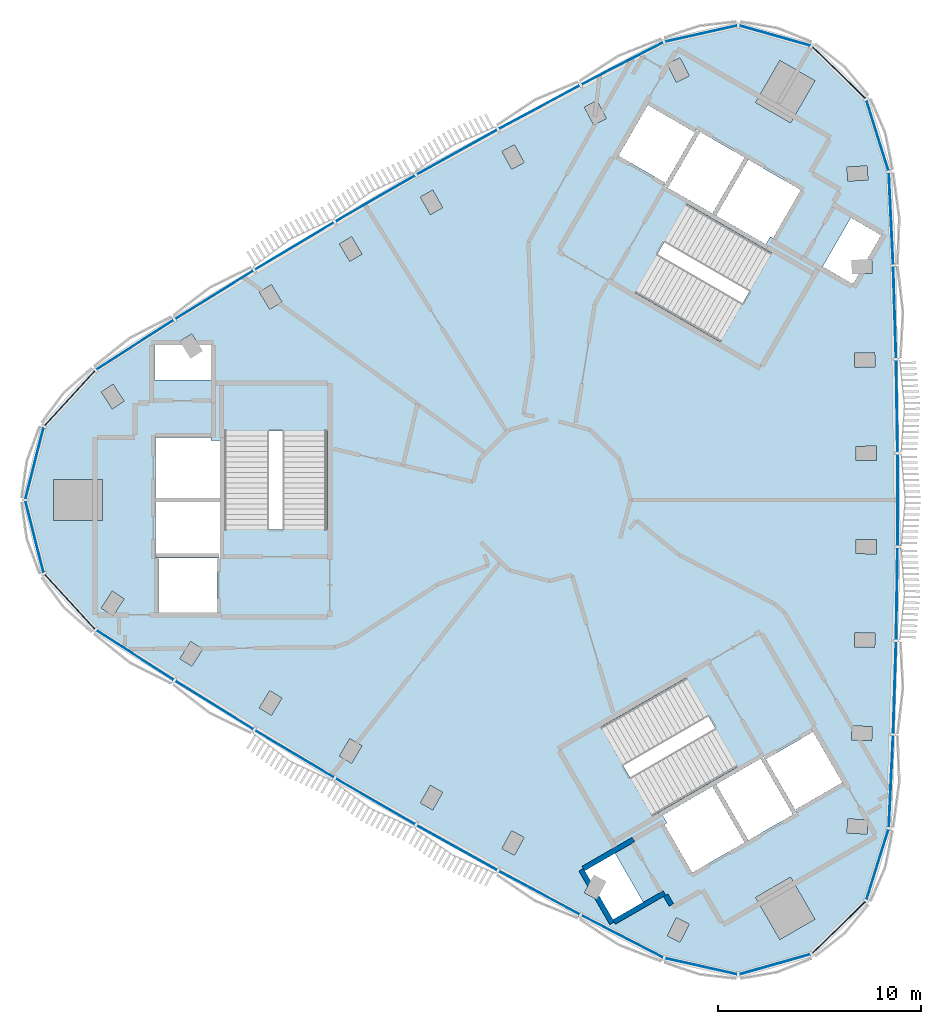
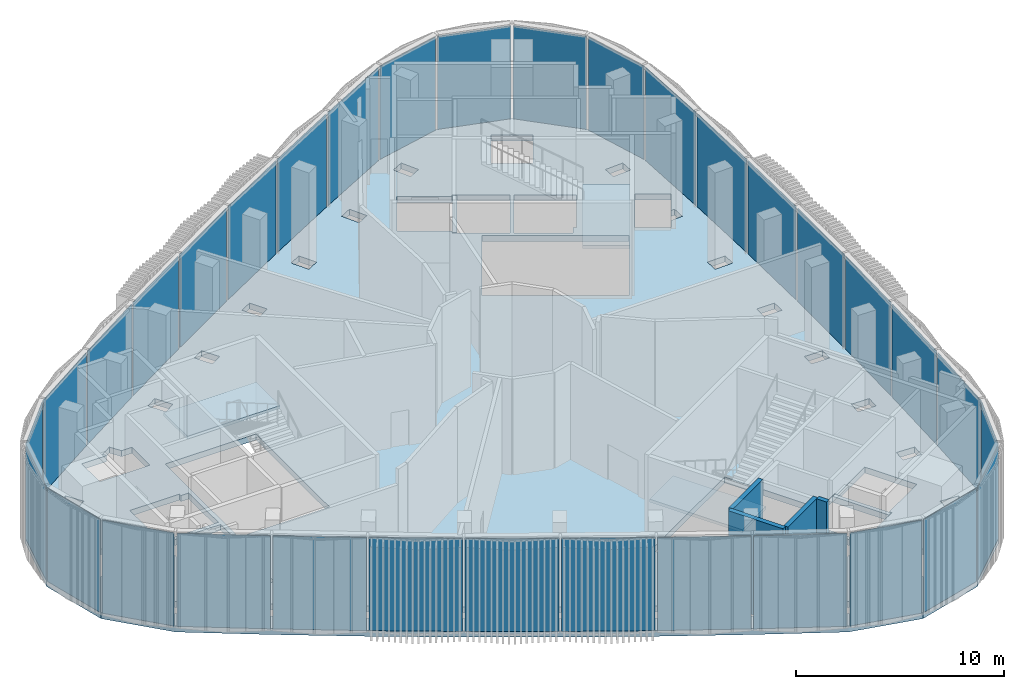
# One storey, part 2 of 11: 33 plates, 4 slabs, 4 walls, 6 elements without a shape of their own.
"""IFC4 building model written with IfcOpenShell, lengths in metres."""

from ifc_helpers import new_model, si_unit, direction, frame, frame_2d, origin, origin_2d, place, context, subcontext, project, spatial, polyline, rectangle, outline, extrude, material, layer, layer_set, type_object, element, aggregate, save


model = new_model("IFC4")

# Units and contexts
model_context = context("Model", 3, precision=1e-05, world=origin(), true_north=direction((0.0, 1.0)))
body_context = subcontext(model_context, "Body", "Model", "MODEL_VIEW")
ifc_project = project(units=[si_unit("LENGTHUNIT", "METRE"), si_unit("AREAUNIT", "SQUARE_METRE"), si_unit("VOLUMEUNIT", "CUBIC_METRE"), si_unit("PLANEANGLEUNIT", "RADIAN"), si_unit("MASSUNIT", "GRAM", prefix="KILO")], contexts=[model_context])

# Site, building, storey
site_placement = place(None, origin())
site = spatial("IfcSite", under=ifc_project, at=site_placement, CompositionType="ELEMENT")
building_placement = place(site_placement, origin())
building = spatial("IfcBuilding", under=site, at=building_placement, Name="Tamra Quay Hotel Tower", CompositionType="ELEMENT")
storey_placement = place(building_placement, frame((0.0, 0.0, 306.60009765625)))
storey = spatial("IfcBuildingStorey", under=building, at=storey_placement, Name="L77", CompositionType="ELEMENT", Elevation=306.60009765625)

# Stair, slab
ifc_material_1 = material(Name="Exit stair 2200 40 risers 150.0 going 258")
stair_type = type_object("IfcStairType", Name="Exit stair 2200 40 risers 150.0 going 258", PredefinedType="HALF_TURN_STAIR", material=ifc_material_1)
stair_1_placement = place(storey_placement, origin())
stair_1 = element("IfcStair", 1, at=stair_1_placement, inside=storey, type_object=stair_type, Name="L77 Exit stair ST3", PredefinedType="HALF_TURN_STAIR")
ifc_material_2 = material(Name="Concrete M70", Category="concrete")
ifc_layer_1 = layer(ifc_material_2, 0.175048828125)
ifc_layer_set_1 = layer_set([ifc_layer_1], Name="Concrete M70 stair landing 180")
slab_type_1 = type_object("IfcSlabType", Name="Concrete M70 stair landing 180", PredefinedType="LANDING", material=ifc_layer_set_1)
slab_1_placement = place(storey_placement, frame((0.0, 0.0, 2.824951171875)))
slab_1 = element("IfcSlab", 2, at=slab_1_placement, type_object=slab_type_1, Name="ST3 landing 1", PredefinedType="LANDING", context=body_context, shape_type="SweptSolid", body=[
    extrude(outline(polyline([(-10.932373046875, 3.40185546875), (-10.932373046875, 5.679931640625), (-16.09130859375, 5.679931640625), (-16.09130859375, 3.40185546875), (-10.932373046875, 3.40185546875)])), origin(), (0.0, 0.0, 1.0), 0.175048828125),
])
aggregate(stair_1, [slab_1])

stair_2_placement = place(storey_placement, origin())
stair_2 = element("IfcStair", 3, at=stair_2_placement, inside=storey, type_object=stair_type, Name="L77 Exit stair ST1", PredefinedType="HALF_TURN_STAIR")
slab_2_placement = place(storey_placement, frame((0.0, 0.0, 2.824951171875)))
slab_2 = element("IfcSlab", 4, at=slab_2_placement, type_object=slab_type_1, Name="ST1 landing 1", PredefinedType="LANDING", context=body_context, shape_type="SweptSolid", body=[
    extrude(outline(polyline([(8.412353515625, 7.7666015625), (10.385009765625, 6.627685546875), (12.964599609375, 11.095458984375), (10.99169921875, 12.234619140625), (8.412353515625, 7.7666015625)])), origin(), (0.0, 0.0, 1.0), 0.175048828125),
])
aggregate(stair_2, [slab_2])

stair_3_placement = place(storey_placement, origin())
stair_3 = element("IfcStair", 5, at=stair_3_placement, inside=storey, type_object=stair_type, Name="L77 Exit stair ST2", PredefinedType="HALF_TURN_STAIR")
slab_3_placement = place(storey_placement, frame((0.0, 0.0, 2.824951171875)))
slab_3 = element("IfcSlab", 6, at=slab_3_placement, type_object=slab_type_1, Name="ST2 landing 1", PredefinedType="LANDING", context=body_context, shape_type="SweptSolid", body=[
    extrude(outline(polyline([(2.52001953125, -11.168701171875), (0.547119140625, -12.3076171875), (3.126708984375, -16.775390625), (5.099609375, -15.636474609375), (2.52001953125, -11.168701171875)])), origin(), (0.0, 0.0, 1.0), 0.175048828125),
])
aggregate(stair_3, [slab_3])

# Slab
ifc_material_3 = material(Name="Concrete M60", Category="concrete")
ifc_layer_2 = layer(ifc_material_3, 0.35009765625)
ifc_layer_set_2 = layer_set([ifc_layer_2], Name="FLOOR SLAB PT 350")
slab_type_2 = type_object("IfcSlabType", Name="FLOOR SLAB PT 350", PredefinedType="FLOOR", material=ifc_layer_set_2)
slab_4_placement = place(storey_placement, frame((0.0, 0.0, -0.35009765625)))
element("IfcSlab", 7, at=slab_4_placement, inside=storey, type_object=slab_type_2, Name="SLAB-L77", PredefinedType="FLOOR", context=body_context, shape_type="SweptSolid", body=[
    extrude(outline(polyline([(16.967041015625, 11.5751953125), (17.11181640625, 6.94677734375), (17.18408203125, 2.31591796875), (17.18408203125, -2.31591796875), (17.11181640625, -6.94677734375), (16.967041015625, -11.5751953125), (16.75, -16.201904296875), (15.629150390625, -19.787353515625), (12.936767578125, -22.406982421875), (9.32177734375, -23.428955078125), (5.65625, -22.607177734375), (1.540771484375, -20.4814453125), (-2.539794921875, -18.29248046875), (-6.58642578125, -16.039794921875), (-10.59765625, -13.72412109375), (-14.572021484375, -11.345703125), (-18.5078125, -8.90625), (-22.406494140625, -6.405029296875), (-24.950927734375, -3.6416015625), (-25.873291015625, 0.0), (-24.950927734375, 3.6416015625), (-22.406494140625, 6.405029296875), (-18.5078125, 8.90625), (-14.572021484375, 11.345703125), (-10.59765625, 13.72412109375), (-6.58642578125, 16.039794921875), (-2.539794921875, 18.29248046875), (1.540771484375, 20.4814453125), (5.65625, 22.607177734375), (9.32177734375, 23.428955078125), (12.936767578125, 22.406982421875), (15.629150390625, 19.787353515625), (16.75, 16.201904296875), (16.967041015625, 11.5751953125)]), holes=[polyline([(-10.3671875, -12.641357421875), (-9.763671875, -12.99609375), (-9.2568359375, -12.13427734375), (-9.8603515625, -11.779296875), (-10.3671875, -12.641357421875)]), polyline([(-14.324462890625, -10.26708984375), (-13.7265625, -10.63134765625), (-13.206298828125, -9.77734375), (-13.803955078125, -9.4130859375), (-14.324462890625, -10.26708984375)]), polyline([(-18.244140625, -7.831298828125), (-17.652099609375, -8.20458984375), (-17.118896484375, -7.358642578125), (-17.7109375, -6.9853515625), (-18.244140625, -7.831298828125)]), polyline([(-21.57861328125, -4.497314453125), (-22.125244140625, -5.33447265625), (-21.539306640625, -5.71728515625), (-20.992431640625, -4.880126953125), (-21.57861328125, -4.497314453125)]), polyline([(-16.3173828125, -2.85498046875), (-19.4072265625, -2.85498046875), (-19.4072265625, -2.89306640625), (-19.307373046875, -2.89306640625), (-19.307373046875, -5.544921875), (-16.417236328125, -5.544921875), (-16.417236328125, -2.89306640625), (-16.3173828125, -2.89306640625), (-16.3173828125, -2.85498046875)]), polyline([(-19.417236328125, -2.64501953125), (-16.307373046875, -2.64501953125), (-16.307373046875, -2.89306640625), (-16.26708984375, -2.89306640625), (-16.26708984375, -0.10498046875), (-19.45751953125, -0.10498046875), (-19.45751953125, -2.89306640625), (-19.417236328125, -2.89306640625), (-19.417236328125, -2.64501953125)]), polyline([(-24.473388671875, 1.0), (-24.473388671875, -1.0), (-22.073486328125, -1.0), (-22.073486328125, 1.0), (-24.473388671875, 1.0)]), polyline([(-16.707275390625, 2.945068359375), (-16.707275390625, 3.09521484375), (-19.45751953125, 3.09521484375), (-19.45751953125, 0.10498046875), (-16.26708984375, 0.10498046875), (-16.26708984375, 2.945068359375), (-16.707275390625, 2.945068359375)]), polyline([(-16.036376953125, -1.455078125), (-10.9873046875, -1.455078125), (-10.9873046875, 5.625), (-16.036376953125, 5.625), (-16.036376953125, -1.455078125)]), polyline([(-20.992431640625, 4.880126953125), (-21.539306640625, 5.71728515625), (-22.125244140625, 5.33447265625), (-21.57861328125, 4.497314453125), (-20.992431640625, 4.880126953125)]), polyline([(-17.29931640625, 7.64501953125), (-17.652099609375, 8.20458984375), (-18.244140625, 7.831298828125), (-18.126708984375, 7.64501953125), (-19.50732421875, 7.64501953125), (-19.50732421875, 5.9150390625), (-16.71728515625, 5.9150390625), (-16.71728515625, 7.64501953125), (-17.29931640625, 7.64501953125)]), polyline([(-13.7265625, 10.63134765625), (-14.324462890625, 10.26708984375), (-13.803955078125, 9.4130859375), (-13.206298828125, 9.77734375), (-13.7265625, 10.63134765625)]), polyline([(-9.2568359375, 12.13427734375), (-9.763671875, 12.99609375), (-10.3671875, 12.641357421875), (-9.8603515625, 11.779296875), (-9.2568359375, 12.13427734375)]), polyline([(6.27001953125, -20.6201171875), (5.818359375, -21.51220703125), (6.44287109375, -21.828369140625), (6.89453125, -20.936279296875), (6.27001953125, -20.6201171875)]), polyline([(1.73779296875, -18.300048828125), (2.02880859375, -18.80419921875), (1.720703125, -19.389404296875), (2.33984375, -19.715576171875), (2.442626953125, -19.520751953125), (3.1328125, -20.71630859375), (4.631103515625, -19.851318359375), (3.236083984375, -17.43505859375), (1.73779296875, -18.300048828125)]), polyline([(-1.864501953125, -16.32568359375), (-2.34375, -17.203369140625), (-1.7294921875, -17.538818359375), (-1.25, -16.6611328125), (-1.864501953125, -16.32568359375)]), polyline([(5.80322265625, -15.94140625), (5.673095703125, -16.0166015625), (7.04833984375, -18.398193359375), (9.6376953125, -16.903076171875), (8.042724609375, -14.14013671875), (5.5830078125, -15.560302734375), (5.80322265625, -15.94140625)]), polyline([(-5.880126953125, -14.083740234375), (-6.373291015625, -14.95361328125), (-5.764404296875, -15.298828125), (-5.271240234375, -14.428955078125), (-5.880126953125, -14.083740234375)]), polyline([(9.2783203125, -13.160400390625), (6.75390625, -8.78759765625), (0.622314453125, -12.32763671875), (3.146728515625, -16.7001953125), (9.2783203125, -13.160400390625)]), polyline([(4.2333984375, 10.242919921875), (10.364990234375, 6.702880859375), (12.889404296875, 11.075439453125), (6.758056640625, 14.615478515625), (4.2333984375, 10.242919921875)]), polyline([(-5.764404296875, 15.298828125), (-6.373291015625, 14.95361328125), (-5.880126953125, 14.083740234375), (-5.271240234375, 14.428955078125), (-5.764404296875, 15.298828125)]), polyline([(7.41796875, 18.138427734375), (5.863037109375, 15.445068359375), (5.648193359375, 15.569091796875), (5.628173828125, 15.5341796875), (8.04248046875, 14.140380859375), (9.6376953125, 16.903076171875), (7.22314453125, 18.297119140625), (7.203125, 18.262451171875), (7.41796875, 18.138427734375)]), polyline([(-1.25, 16.6611328125), (-1.7294921875, 17.538818359375), (-2.34375, 17.203369140625), (-1.864501953125, 16.32568359375), (-1.25, 16.6611328125)]), polyline([(5.68603515625, 15.55859375), (7.231201171875, 18.234619140625), (7.1982421875, 18.253662109375), (7.148193359375, 18.1669921875), (4.8515625, 19.4931640625), (3.406494140625, 16.990234375), (5.703125, 15.664306640625), (5.6533203125, 15.57763671875), (5.68603515625, 15.55859375)]), polyline([(2.33984375, 19.715576171875), (1.720703125, 19.389404296875), (2.186767578125, 18.504638671875), (2.805908203125, 18.830810546875), (2.33984375, 19.715576171875)]), polyline([(6.44287109375, 21.828369140625), (5.818359375, 21.51220703125), (6.27001953125, 20.6201171875), (6.89453125, 20.936279296875), (6.44287109375, 21.828369140625)]), polyline([(11.37060546875, -21.694580078125), (13.102783203125, -20.694580078125), (11.902587890625, -18.6162109375), (10.170654296875, -19.6162109375), (11.37060546875, -21.694580078125)]), polyline([(14.68408203125, -16.43896484375), (15.6826171875, -16.493896484375), (15.720947265625, -15.794921875), (14.722412109375, -15.739990234375), (14.68408203125, -16.43896484375)]), polyline([(12.214111328125, -15.369384765625), (11.999267578125, -15.493408203125), (10.4443359375, -12.800048828125), (10.6591796875, -12.676025390625), (10.63916015625, -12.64111328125), (8.224609375, -14.03515625), (9.819580078125, -16.798095703125), (12.234130859375, -15.404052734375), (12.214111328125, -15.369384765625)]), polyline([(12.176025390625, -15.379638671875), (12.208984375, -15.360595703125), (12.1591796875, -15.274169921875), (14.455810546875, -13.947998046875), (13.0107421875, -11.4453125), (10.714111328125, -12.771240234375), (10.6640625, -12.6845703125), (10.631103515625, -12.70361328125), (12.176025390625, -15.379638671875)]), polyline([(15.904296875, -11.88427734375), (15.931396484375, -11.184814453125), (14.93212890625, -11.14599609375), (14.905029296875, -11.845703125), (15.904296875, -11.88427734375)]), polyline([(16.0537109375, -7.271728515625), (16.0703125, -6.572021484375), (15.070556640625, -6.548095703125), (15.053955078125, -7.247802734375), (16.0537109375, -7.271728515625)]), polyline([(15.13134765625, -2.6494140625), (16.13134765625, -2.657470703125), (16.136962890625, -1.95751953125), (15.136962890625, -1.94970703125), (15.13134765625, -2.6494140625)]), polyline([(15.136962890625, 1.94970703125), (16.136962890625, 1.95751953125), (16.13134765625, 2.657470703125), (15.13134765625, 2.6494140625), (15.136962890625, 1.94970703125)]), polyline([(16.0703125, 6.572021484375), (16.0537109375, 7.271728515625), (15.053955078125, 7.247802734375), (15.070556640625, 6.548095703125), (16.0703125, 6.572021484375)]), polyline([(13.481201171875, 11.52001953125), (14.9794921875, 10.655029296875), (15.2705078125, 11.1591796875), (15.931396484375, 11.184814453125), (15.904296875, 11.88427734375), (15.68408203125, 11.875732421875), (16.37451171875, 13.0712890625), (14.876220703125, 13.936279296875), (13.481201171875, 11.52001953125)]), polyline([(10.904052734375, 12.996337890625), (11.0341796875, 12.92138671875), (12.4091796875, 15.302978515625), (9.819580078125, 16.798095703125), (8.224365234375, 14.035400390625), (10.68408203125, 12.615234375), (10.904052734375, 12.996337890625)]), polyline([(14.722412109375, 15.739990234375), (15.720947265625, 15.794921875), (15.6826171875, 16.493896484375), (14.68408203125, 16.43896484375), (14.722412109375, 15.739990234375)]), polyline([(11.902587890625, 18.6162109375), (13.102783203125, 20.694580078125), (11.37060546875, 21.694580078125), (10.170654296875, 19.6162109375), (11.902587890625, 18.6162109375)])]), origin(), (0.0, 0.0, 1.0), 0.35009765625),
])

# Curtain wall, plates
ifc_material_4 = material(Name="Aluminium 6063 anodised dark grey", Category="aluminium")
curtain_wall_type = type_object("IfcCurtainWallType", Name="CW5 CURTAIN WALL", PredefinedType="NOTDEFINED", material=ifc_material_4)
curtain_wall_1_placement = place(storey_placement, origin())
curtain_wall_1 = element("IfcCurtainWall", 8, at=curtain_wall_1_placement, inside=storey, type_object=curtain_wall_type, Name="CW5 east face L77", PredefinedType="NOTDEFINED")
ifc_material_5 = material(Name="Glass clear laminated low-iron", Category="glass")
ifc_layer_3 = layer(ifc_material_5, 0.0400390625)
ifc_layer_set_3 = layer_set([ifc_layer_3], Name="GLASS PANEL CW5")
plate_type = type_object("IfcPlateType", Name="GLASS PANEL CW5", PredefinedType="CURTAIN_PANEL", material=ifc_layer_set_3)
plate_1_placement = place(storey_placement, frame((16.858642578125, -13.888671875, 0.0), z_axis=(0.0, 0.0, 1.0), x_axis=(0.046821272814, 0.998903282812, 0.0)))
plate_1 = element("IfcPlate", 9, at=plate_1_placement, type_object=plate_type, Name="CW5 glass L77.E.1", PredefinedType="CURTAIN_PANEL", context=body_context, shape_type="SweptSolid", body=[
    extrude(rectangle(XDim=4.511962890625, YDim=0.0400390625, at=origin_2d()), origin(), (0.0, 0.0, 1.0), 5.469970703125),
])
plate_2_placement = place(storey_placement, frame((17.039306640625, -9.260986328125, 0.0), z_axis=(0.0, 0.0, 1.0), x_axis=(0.031241813408, 0.999511855405, 0.0)))
plate_2 = element("IfcPlate", 10, at=plate_2_placement, type_object=plate_type, Name="CW5 glass L77.E.2", PredefinedType="CURTAIN_PANEL", context=body_context, shape_type="SweptSolid", body=[
    extrude(rectangle(XDim=4.510498046875, YDim=0.0400390625, at=origin_2d()), origin(), (0.0, 0.0, 1.0), 5.469970703125),
])
plate_3_placement = place(storey_placement, frame((17.14794921875, -4.63134765625, 0.0), z_axis=(0.0, 0.0, 1.0), x_axis=(0.015632289829, 0.999877808292, 0.0)))
plate_3 = element("IfcPlate", 11, at=plate_3_placement, type_object=plate_type, Name="CW5 glass L77.E.3", PredefinedType="CURTAIN_PANEL", context=body_context, shape_type="SweptSolid", body=[
    extrude(rectangle(XDim=4.511474609375, YDim=0.0400390625, at=origin_2d()), origin(), (0.0, 0.0, 1.0), 5.469970703125),
])
plate_4_placement = place(storey_placement, frame((17.18408203125, 0.0, 0.0), z_axis=(0.0, 0.0, 1.0), x_axis=(0.0, 1.0, 0.0)))
plate_4 = element("IfcPlate", 12, at=plate_4_placement, type_object=plate_type, Name="CW5 glass L77.E.4", PredefinedType="CURTAIN_PANEL", context=body_context, shape_type="SweptSolid", body=[
    extrude(rectangle(XDim=4.511474609375, YDim=0.0400390625, at=origin_2d()), origin(), (0.0, 0.0, 1.0), 5.469970703125),
])
plate_5_placement = place(storey_placement, frame((17.14794921875, 4.63134765625, 0.0), z_axis=(0.0, 0.0, 1.0), x_axis=(-0.015632289829, 0.999877808292, 0.0)))
plate_5 = element("IfcPlate", 13, at=plate_5_placement, type_object=plate_type, Name="CW5 glass L77.E.5", PredefinedType="CURTAIN_PANEL", context=body_context, shape_type="SweptSolid", body=[
    extrude(rectangle(XDim=4.511474609375, YDim=0.0400390625, at=origin_2d()), origin(), (0.0, 0.0, 1.0), 5.469970703125),
])
plate_6_placement = place(storey_placement, frame((17.039306640625, 9.260986328125, 0.0), z_axis=(0.0, 0.0, 1.0), x_axis=(-0.031241813408, 0.999511855405, 0.0)))
plate_6 = element("IfcPlate", 14, at=plate_6_placement, type_object=plate_type, Name="CW5 glass L77.E.6", PredefinedType="CURTAIN_PANEL", context=body_context, shape_type="SweptSolid", body=[
    extrude(rectangle(XDim=4.510498046875, YDim=0.0400390625, at=origin_2d()), origin(), (0.0, 0.0, 1.0), 5.469970703125),
])
plate_7_placement = place(storey_placement, frame((16.858642578125, 13.888671875, 0.0), z_axis=(0.0, 0.0, 1.0), x_axis=(-0.046821272814, 0.998903282812, 0.0)))
plate_7 = element("IfcPlate", 15, at=plate_7_placement, type_object=plate_type, Name="CW5 glass L77.E.7", PredefinedType="CURTAIN_PANEL", context=body_context, shape_type="SweptSolid", body=[
    extrude(rectangle(XDim=4.511962890625, YDim=0.0400390625, at=origin_2d()), origin(), (0.0, 0.0, 1.0), 5.469970703125),
])
plate_8_placement = place(storey_placement, frame((16.189697265625, 17.99462890625, 0.0), z_axis=(0.0, 0.0, 1.0), x_axis=(-0.29839239288, 0.954443282689, 0.0)))
plate_8 = element("IfcPlate", 16, at=plate_8_placement, type_object=plate_type, Name="CW5 glass L77.E.8", PredefinedType="CURTAIN_PANEL", context=body_context, shape_type="SweptSolid", body=[
    extrude(rectangle(XDim=3.636474609375, YDim=0.0400390625, at=origin_2d()), origin(), (0.0, 0.0, 1.0), 5.469970703125),
])
plate_9_placement = place(storey_placement, frame((14.282958984375, 21.09716796875, 0.0), z_axis=(0.0, 0.0, 1.0), x_axis=(-0.716752699854, 0.69732744622, 0.0)))
plate_9 = element("IfcPlate", 17, at=plate_9_placement, type_object=plate_type, Name="CW5 glass L77.E.9", PredefinedType="CURTAIN_PANEL", context=body_context, shape_type="SweptSolid", body=[
    extrude(rectangle(XDim=3.636474609375, YDim=0.0400390625, at=origin_2d()), origin(), (0.0, 0.0, 1.0), 5.469970703125),
])
plate_10_placement = place(storey_placement, frame((11.129150390625, 22.91796875, 0.0), z_axis=(0.0, 0.0, 1.0), x_axis=(-0.96227963311, 0.272062323195, 0.0)))
plate_10 = element("IfcPlate", 18, at=plate_10_placement, type_object=plate_type, Name="CW5 glass L77.E.10", PredefinedType="CURTAIN_PANEL", context=body_context, shape_type="SweptSolid", body=[
    extrude(rectangle(XDim=3.636474609375, YDim=0.0400390625, at=origin_2d()), origin(), (0.0, 0.0, 1.0), 5.469970703125),
])
plate_11_placement = place(storey_placement, frame((7.489013671875, 23.01806640625, 0.0), z_axis=(0.0, 0.0, 1.0), x_axis=(-0.975768325721, -0.218806248814, 0.0)))
plate_11 = element("IfcPlate", 19, at=plate_11_placement, type_object=plate_type, Name="CW5 glass L77.E.11", PredefinedType="CURTAIN_PANEL", context=body_context, shape_type="SweptSolid", body=[
    extrude(rectangle(XDim=3.636474609375, YDim=0.0400390625, at=origin_2d()), origin(), (0.0, 0.0, 1.0), 5.469970703125),
])
aggregate(curtain_wall_1, [plate_1, plate_2, plate_3, plate_4, plate_5, plate_6, plate_7, plate_8, plate_9, plate_10, plate_11])

curtain_wall_2_placement = place(storey_placement, origin())
curtain_wall_2 = element("IfcCurtainWall", 20, at=curtain_wall_2_placement, inside=storey, type_object=curtain_wall_type, Name="CW5 north-west face L77", PredefinedType="NOTDEFINED")
plate_12_placement = place(storey_placement, frame((3.5986328125, 21.544189453125, 0.0), z_axis=(0.0, 0.0, 1.0), x_axis=(-0.888486255245, -0.458903229712, 0.0)))
plate_12 = element("IfcPlate", 21, at=plate_12_placement, type_object=plate_type, Name="CW5 glass L77.NW.1", PredefinedType="CURTAIN_PANEL", context=body_context, shape_type="SweptSolid", body=[
    extrude(rectangle(XDim=4.511962890625, YDim=0.0400390625, at=origin_2d()), origin(), (0.0, 0.0, 1.0), 5.469970703125),
])
plate_13_placement = place(storey_placement, frame((-0.49951171875, 19.386962890625, 0.0), z_axis=(0.0, 0.0, 1.0), x_axis=(-0.881223564868, -0.472699723631, 0.0)))
plate_13 = element("IfcPlate", 22, at=plate_13_placement, type_object=plate_type, Name="CW5 glass L77.NW.2", PredefinedType="CURTAIN_PANEL", context=body_context, shape_type="SweptSolid", body=[
    extrude(rectangle(XDim=4.510498046875, YDim=0.0400390625, at=origin_2d()), origin(), (0.0, 0.0, 1.0), 5.469970703125),
])
plate_14_placement = place(storey_placement, frame((-4.563232421875, 17.166259765625, 0.0), z_axis=(0.0, 0.0, 1.0), x_axis=(-0.873735727575, -0.486400944035, 0.0)))
plate_14 = element("IfcPlate", 23, at=plate_14_placement, type_object=plate_type, Name="CW5 glass L77.NW.3", PredefinedType="CURTAIN_PANEL", context=body_context, shape_type="SweptSolid", body=[
    extrude(rectangle(XDim=4.511474609375, YDim=0.0400390625, at=origin_2d()), origin(), (0.0, 0.0, 1.0), 5.469970703125),
])
plate_15_placement = place(storey_placement, frame((-8.592041015625, 14.8818359375, 0.0), z_axis=(0.0, 0.0, 1.0), x_axis=(-0.866025403784, -0.5, 0.0)))
plate_15 = element("IfcPlate", 24, at=plate_15_placement, type_object=plate_type, Name="CW5 glass L77.NW.4", PredefinedType="CURTAIN_PANEL", context=body_context, shape_type="SweptSolid", body=[
    extrude(rectangle(XDim=4.511474609375, YDim=0.0400390625, at=origin_2d()), origin(), (0.0, 0.0, 1.0), 5.469970703125),
])
plate_16_placement = place(storey_placement, frame((-12.584716796875, 12.534912109375, 0.0), z_axis=(0.0, 0.0, 1.0), x_axis=(-0.858103437747, -0.513476864257, 0.0)))
plate_16 = element("IfcPlate", 25, at=plate_16_placement, type_object=plate_type, Name="CW5 glass L77.NW.5", PredefinedType="CURTAIN_PANEL", context=body_context, shape_type="SweptSolid", body=[
    extrude(rectangle(XDim=4.511474609375, YDim=0.0400390625, at=origin_2d()), origin(), (0.0, 0.0, 1.0), 5.469970703125),
])
plate_17_placement = place(storey_placement, frame((-16.539794921875, 10.1259765625, 0.0), z_axis=(0.0, 0.0, 1.0), x_axis=(-0.849981751461, -0.526812131774, 0.0)))
plate_17 = element("IfcPlate", 26, at=plate_17_placement, type_object=plate_type, Name="CW5 glass L77.NW.6", PredefinedType="CURTAIN_PANEL", context=body_context, shape_type="SweptSolid", body=[
    extrude(rectangle(XDim=4.510498046875, YDim=0.0400390625, at=origin_2d()), origin(), (0.0, 0.0, 1.0), 5.469970703125),
])
plate_18_placement = place(storey_placement, frame((-20.45703125, 7.65576171875, 0.0), z_axis=(0.0, 0.0, 1.0), x_axis=(-0.841664982432, -0.5400000531, 0.0)))
plate_18 = element("IfcPlate", 27, at=plate_18_placement, type_object=plate_type, Name="CW5 glass L77.NW.7", PredefinedType="CURTAIN_PANEL", context=body_context, shape_type="SweptSolid", body=[
    extrude(rectangle(XDim=4.511962890625, YDim=0.0400390625, at=origin_2d()), origin(), (0.0, 0.0, 1.0), 5.469970703125),
])
plate_19_placement = place(storey_placement, frame((-23.6787109375, 5.023193359375, 0.0), z_axis=(0.0, 0.0, 1.0), x_axis=(-0.67737593284, -0.735637033875, 0.0)))
plate_19 = element("IfcPlate", 28, at=plate_19_placement, type_object=plate_type, Name="CW5 glass L77.NW.8", PredefinedType="CURTAIN_PANEL", context=body_context, shape_type="SweptSolid", body=[
    extrude(rectangle(XDim=3.636474609375, YDim=0.0400390625, at=origin_2d()), origin(), (0.0, 0.0, 1.0), 5.469970703125),
])
plate_20_placement = place(storey_placement, frame((-25.412109375, 1.82080078125, 0.0), z_axis=(0.0, 0.0, 1.0), x_axis=(-0.245526933255, -0.969389769415, 0.0)))
plate_20 = element("IfcPlate", 29, at=plate_20_placement, type_object=plate_type, Name="CW5 glass L77.NW.9", PredefinedType="CURTAIN_PANEL", context=body_context, shape_type="SweptSolid", body=[
    extrude(rectangle(XDim=3.636474609375, YDim=0.0400390625, at=origin_2d()), origin(), (0.0, 0.0, 1.0), 5.469970703125),
])
plate_21_placement = place(storey_placement, frame((-25.412109375, -1.82080078125, 0.0), z_axis=(0.0, 0.0, 1.0), x_axis=(0.245526933255, -0.969389769415, 0.0)))
plate_21 = element("IfcPlate", 30, at=plate_21_placement, type_object=plate_type, Name="CW5 glass L77.NW.10", PredefinedType="CURTAIN_PANEL", context=body_context, shape_type="SweptSolid", body=[
    extrude(rectangle(XDim=3.636474609375, YDim=0.0400390625, at=origin_2d()), origin(), (0.0, 0.0, 1.0), 5.469970703125),
])
plate_22_placement = place(storey_placement, frame((-23.6787109375, -5.023193359375, 0.0), z_axis=(0.0, 0.0, 1.0), x_axis=(0.67737593284, -0.735637033875, 0.0)))
plate_22 = element("IfcPlate", 31, at=plate_22_placement, type_object=plate_type, Name="CW5 glass L77.NW.11", PredefinedType="CURTAIN_PANEL", context=body_context, shape_type="SweptSolid", body=[
    extrude(rectangle(XDim=3.636474609375, YDim=0.0400390625, at=origin_2d()), origin(), (0.0, 0.0, 1.0), 5.469970703125),
])
aggregate(curtain_wall_2, [plate_12, plate_13, plate_14, plate_15, plate_16, plate_17, plate_18, plate_19, plate_20, plate_21, plate_22])

curtain_wall_3_placement = place(storey_placement, origin())
curtain_wall_3 = element("IfcCurtainWall", 32, at=curtain_wall_3_placement, inside=storey, type_object=curtain_wall_type, Name="CW5 south-west face L77", PredefinedType="NOTDEFINED")
plate_23_placement = place(storey_placement, frame((-20.45703125, -7.65576171875, 0.0), z_axis=(0.0, 0.0, 1.0), x_axis=(0.841664982432, -0.5400000531, 0.0)))
plate_23 = element("IfcPlate", 33, at=plate_23_placement, type_object=plate_type, Name="CW5 glass L77.SW.1", PredefinedType="CURTAIN_PANEL", context=body_context, shape_type="SweptSolid", body=[
    extrude(rectangle(XDim=4.511962890625, YDim=0.0400390625, at=origin_2d()), origin(), (0.0, 0.0, 1.0), 5.469970703125),
])
plate_24_placement = place(storey_placement, frame((-16.539794921875, -10.1259765625, 0.0), z_axis=(0.0, 0.0, 1.0), x_axis=(0.849981751461, -0.526812131774, 0.0)))
plate_24 = element("IfcPlate", 34, at=plate_24_placement, type_object=plate_type, Name="CW5 glass L77.SW.2", PredefinedType="CURTAIN_PANEL", context=body_context, shape_type="SweptSolid", body=[
    extrude(rectangle(XDim=4.510498046875, YDim=0.0400390625, at=origin_2d()), origin(), (0.0, 0.0, 1.0), 5.469970703125),
])
plate_25_placement = place(storey_placement, frame((-12.584716796875, -12.534912109375, 0.0), z_axis=(0.0, 0.0, 1.0), x_axis=(0.858103437747, -0.513476864257, 0.0)))
plate_25 = element("IfcPlate", 35, at=plate_25_placement, type_object=plate_type, Name="CW5 glass L77.SW.3", PredefinedType="CURTAIN_PANEL", context=body_context, shape_type="SweptSolid", body=[
    extrude(rectangle(XDim=4.511474609375, YDim=0.0400390625, at=origin_2d()), origin(), (0.0, 0.0, 1.0), 5.469970703125),
])
plate_26_placement = place(storey_placement, frame((-8.592041015625, -14.8818359375, 0.0), z_axis=(0.0, 0.0, 1.0), x_axis=(0.866025403784, -0.5, 0.0)))
plate_26 = element("IfcPlate", 36, at=plate_26_placement, type_object=plate_type, Name="CW5 glass L77.SW.4", PredefinedType="CURTAIN_PANEL", context=body_context, shape_type="SweptSolid", body=[
    extrude(rectangle(XDim=4.511474609375, YDim=0.0400390625, at=origin_2d()), origin(), (0.0, 0.0, 1.0), 5.469970703125),
])
plate_27_placement = place(storey_placement, frame((-4.563232421875, -17.166259765625, 0.0), z_axis=(0.0, 0.0, 1.0), x_axis=(0.873735727575, -0.486400944035, 0.0)))
plate_27 = element("IfcPlate", 37, at=plate_27_placement, type_object=plate_type, Name="CW5 glass L77.SW.5", PredefinedType="CURTAIN_PANEL", context=body_context, shape_type="SweptSolid", body=[
    extrude(rectangle(XDim=4.511474609375, YDim=0.0400390625, at=origin_2d()), origin(), (0.0, 0.0, 1.0), 5.469970703125),
])
plate_28_placement = place(storey_placement, frame((-0.49951171875, -19.386962890625, 0.0), z_axis=(0.0, 0.0, 1.0), x_axis=(0.881223564868, -0.472699723631, 0.0)))
plate_28 = element("IfcPlate", 38, at=plate_28_placement, type_object=plate_type, Name="CW5 glass L77.SW.6", PredefinedType="CURTAIN_PANEL", context=body_context, shape_type="SweptSolid", body=[
    extrude(rectangle(XDim=4.510498046875, YDim=0.0400390625, at=origin_2d()), origin(), (0.0, 0.0, 1.0), 5.469970703125),
])
plate_29_placement = place(storey_placement, frame((3.5986328125, -21.544189453125, 0.0), z_axis=(0.0, 0.0, 1.0), x_axis=(0.888486255245, -0.458903229712, 0.0)))
plate_29 = element("IfcPlate", 39, at=plate_29_placement, type_object=plate_type, Name="CW5 glass L77.SW.7", PredefinedType="CURTAIN_PANEL", context=body_context, shape_type="SweptSolid", body=[
    extrude(rectangle(XDim=4.511962890625, YDim=0.0400390625, at=origin_2d()), origin(), (0.0, 0.0, 1.0), 5.469970703125),
])
plate_30_placement = place(storey_placement, frame((7.489013671875, -23.01806640625, 0.0), z_axis=(0.0, 0.0, 1.0), x_axis=(0.975768325721, -0.218806248814, 0.0)))
plate_30 = element("IfcPlate", 40, at=plate_30_placement, type_object=plate_type, Name="CW5 glass L77.SW.8", PredefinedType="CURTAIN_PANEL", context=body_context, shape_type="SweptSolid", body=[
    extrude(rectangle(XDim=3.636474609375, YDim=0.0400390625, at=origin_2d()), origin(), (0.0, 0.0, 1.0), 5.469970703125),
])
plate_31_placement = place(storey_placement, frame((11.129150390625, -22.91796875, 0.0), z_axis=(0.0, 0.0, 1.0), x_axis=(0.96227963311, 0.272062323195, 0.0)))
plate_31 = element("IfcPlate", 41, at=plate_31_placement, type_object=plate_type, Name="CW5 glass L77.SW.9", PredefinedType="CURTAIN_PANEL", context=body_context, shape_type="SweptSolid", body=[
    extrude(rectangle(XDim=3.636474609375, YDim=0.0400390625, at=origin_2d()), origin(), (0.0, 0.0, 1.0), 5.469970703125),
])
plate_32_placement = place(storey_placement, frame((14.282958984375, -21.09716796875, 0.0), z_axis=(0.0, 0.0, 1.0), x_axis=(0.716752699854, 0.69732744622, 0.0)))
plate_32 = element("IfcPlate", 42, at=plate_32_placement, type_object=plate_type, Name="CW5 glass L77.SW.10", PredefinedType="CURTAIN_PANEL", context=body_context, shape_type="SweptSolid", body=[
    extrude(rectangle(XDim=3.636474609375, YDim=0.0400390625, at=origin_2d()), origin(), (0.0, 0.0, 1.0), 5.469970703125),
])
plate_33_placement = place(storey_placement, frame((16.189697265625, -17.99462890625, 0.0), z_axis=(0.0, 0.0, 1.0), x_axis=(0.29839239288, 0.954443282689, 0.0)))
plate_33 = element("IfcPlate", 43, at=plate_33_placement, type_object=plate_type, Name="CW5 glass L77.SW.11", PredefinedType="CURTAIN_PANEL", context=body_context, shape_type="SweptSolid", body=[
    extrude(rectangle(XDim=3.636474609375, YDim=0.0400390625, at=origin_2d()), origin(), (0.0, 0.0, 1.0), 5.469970703125),
])
aggregate(curtain_wall_3, [plate_23, plate_24, plate_25, plate_26, plate_27, plate_28, plate_29, plate_30, plate_31, plate_32, plate_33])

# Walls
ifc_layer_4 = layer(ifc_material_2, 0.25)
ifc_layer_set_4 = layer_set([ifc_layer_4], Name="Concrete M70 core wall 250")
wall_type = type_object("IfcWallType", Name="Concrete M70 core wall 250", PredefinedType="SHEAR", material=ifc_layer_set_4)
wall_1_placement = place(storey_placement, frame((3.085205078125, -20.893798828125, 0.0), z_axis=(0.0, 0.0, 1.0), x_axis=(-0.499978833458, 0.866037623948, 0.0)))
element("IfcWall", 44, at=wall_1_placement, inside=storey, type_object=wall_type, Name="CW1", PredefinedType="SHEAR", context=body_context, shape_type="SweptSolid", body=[
    extrude(rectangle(XDim=3.050048828125, YDim=0.25, at=frame_2d((1.52490234375, 0.0))), origin(), (0.0, 0.0, 1.0), 5.64990234375),
])
wall_2_placement = place(storey_placement, frame((1.6689453125, -18.189697265625, 0.0), z_axis=(0.0, 0.0, 1.0), x_axis=(0.866042235819, 0.499970844928, 0.0)))
element("IfcWall", 45, at=wall_2_placement, inside=storey, type_object=wall_type, Name="CW1", PredefinedType="SHEAR", context=body_context, shape_type="SweptSolid", body=[
    extrude(rectangle(XDim=2.864501953125, YDim=0.25, at=frame_2d((1.43212890625, 0.0))), origin(), (0.0, 0.0, 1.0), 5.64990234375),
])
wall_3_placement = place(storey_placement, frame((5.6748046875, -19.39892578125, 0.0), z_axis=(0.0, 0.0, 1.0), x_axis=(-0.866026637627, -0.499997862916, 0.0)))
element("IfcWall", 46, at=wall_3_placement, inside=storey, type_object=wall_type, Name="CW1", PredefinedType="SHEAR", context=body_context, shape_type="SweptSolid", body=[
    extrude(rectangle(XDim=2.86474609375, YDim=0.25, at=frame_2d((1.432373046875, 0.0))), origin(), (0.0, 0.0, 1.0), 5.64990234375),
])
wall_4_placement = place(storey_placement, frame((6.01708984375, -19.99169921875, 0.0), z_axis=(0.0, 0.0, 1.0), x_axis=(-0.500364886717, 0.865814633822, 0.0)))
element("IfcWall", 47, at=wall_4_placement, inside=storey, type_object=wall_type, Name="CW1", PredefinedType="SHEAR", context=body_context, shape_type="SweptSolid", body=[
    extrude(rectangle(XDim=0.55908203125, YDim=0.25, at=frame_2d((0.279541015625, 0.0))), origin(), (0.0, 0.0, 1.0), 5.64990234375),
])

save(model, "model.ifc")
